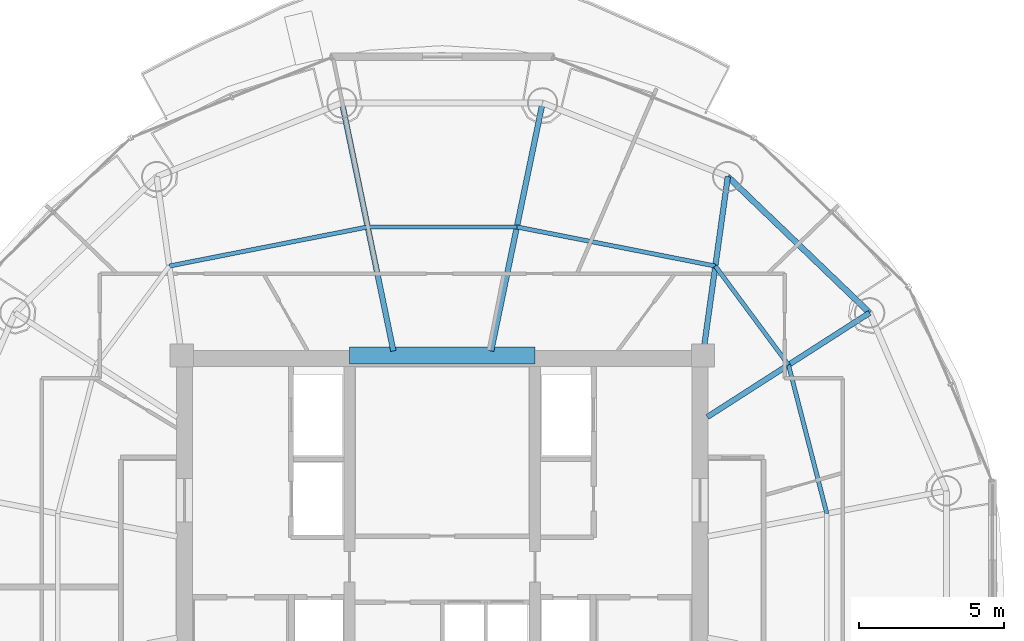
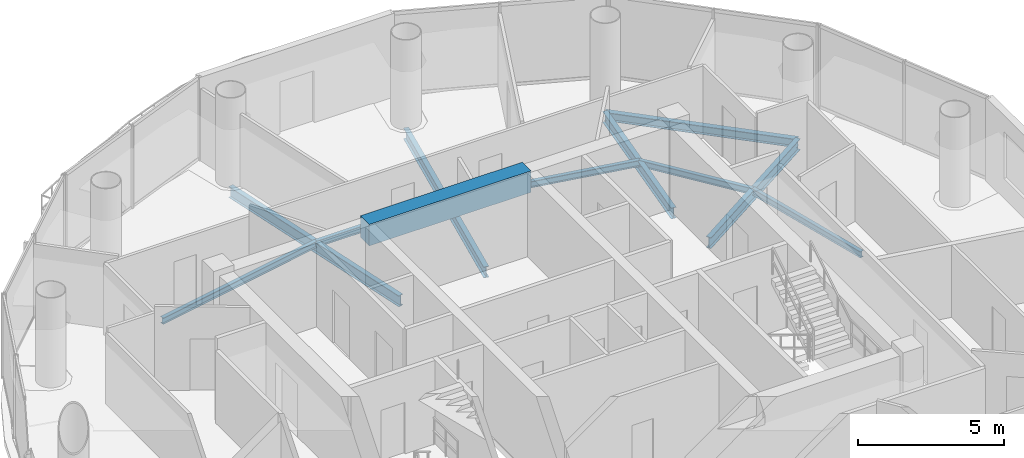
# One storey, part 9 of 23: 11 beams.
"""IFC4 building model written with IfcOpenShell, lengths in metres."""

from ifc_helpers import new_model, si_unit, direction, frame, origin, origin_2d, place, context, subcontext, project, spatial, rectangle, i_section, extrude, material, material_profile, profile_set, type_object, element, save


model = new_model("IFC4")

# Units and contexts
model_context = context("Model", 3, precision=1e-05, world=origin(), true_north=direction((-0.2419218956, 0.970295726276)))
body_context = subcontext(model_context, "Body", "Model", "MODEL_VIEW")
ifc_project = project(units=[si_unit("LENGTHUNIT", "METRE"), si_unit("AREAUNIT", "SQUARE_METRE"), si_unit("VOLUMEUNIT", "CUBIC_METRE"), si_unit("PLANEANGLEUNIT", "RADIAN"), si_unit("MASSUNIT", "GRAM", prefix="KILO")], contexts=[model_context])

# Site, building, storey
site_placement = place(None, origin())
site = spatial("IfcSite", under=ifc_project, at=site_placement, CompositionType="ELEMENT")
building_placement = place(site_placement, origin())
building = spatial("IfcBuilding", under=site, at=building_placement, Name="Cobrevalo Terracotta Tower", CompositionType="ELEMENT")
storey_placement = place(building_placement, frame((0.0, 0.0, 263.199951171875)))
storey = spatial("IfcBuildingStorey", under=building, at=storey_placement, Name="L69", CompositionType="ELEMENT", Elevation=263.199951171875)

# Beams
ifc_material_1 = material(Name="Concrete C60", Category="concrete")
ifc_material_profile_1 = material_profile(ifc_material_1, rectangle(XDim=0.60009765625, YDim=0.89990234375, at=origin_2d()), Name="RC CB 600x900")
ifc_profile_set_1 = profile_set([ifc_material_profile_1], Name="Concrete C60")
beam_type_1 = type_object("IfcBeamType", Name="Structural Beam RC CB 600x900 (Concrete C60)", PredefinedType="BEAM", material=ifc_profile_set_1)
beam_1_placement = place(storey_placement, frame((34.800048828125, 34.800048828125, 3.0400390625), z_axis=(1.0, 0.0, 0.0), x_axis=(0.0, 1.0, 0.0)))
element("IfcBeam", 1, at=beam_1_placement, inside=storey, type_object=beam_type_1, Name="L69 core coupling beam 2", PredefinedType="BEAM", context=body_context, shape_type="SweptSolid", body=[
    extrude(rectangle(XDim=0.60009765625, YDim=0.89990234375, at=origin_2d()), origin(), (0.0, 0.0, 1.0), 6.39990234375),
])
ifc_material_2 = material(Name="Steel S355", Category="steel")
ifc_material_profile_2 = material_profile(ifc_material_2, i_section(OverallWidth=0.19091796875, OverallDepth=0.4599609375, WebThickness=0.010009765625, FlangeThickness=0.01611328125, at=origin_2d()), Name="W 460x82")
ifc_profile_set_2 = profile_set([ifc_material_profile_2], Name="Steel S355")
beam_type_2 = type_object("IfcBeamType", Name="Structural Beam W 460x82 (Steel S355)", PredefinedType="BEAM", material=ifc_profile_set_2)
beam_2_placement = place(storey_placement, frame((52.758544921875, 36.2724609375, -0.489990234375), z_axis=(-0.84157615512, -0.540138477739, 0.0), x_axis=(0.540138477739, -0.84157615512, 0.0)))
element("IfcBeam", 2, at=beam_2_placement, inside=storey, type_object=beam_type_2, Name="L69 radial floor girder 02", PredefinedType="BEAM", context=body_context, shape_type="SweptSolid", body=[
    extrude(i_section(OverallWidth=0.19091796875, OverallDepth=0.4599609375, WebThickness=0.010009765625, FlangeThickness=0.01611328125, at=origin_2d()), origin(), (0.0, 0.0, 1.0), 6.658447265625),
])
beam_3_placement = place(storey_placement, frame((47.861328125, 40.9765625, -0.489990234375), z_axis=(-0.138115657759, -0.990416107039, 0.0), x_axis=(0.990416107039, -0.138115657759, 0.0)))
element("IfcBeam", 3, at=beam_3_placement, inside=storey, type_object=beam_type_2, Name="L69 radial floor girder 03", PredefinedType="BEAM", context=body_context, shape_type="SweptSolid", body=[
    extrude(i_section(OverallWidth=0.19091796875, OverallDepth=0.4599609375, WebThickness=0.010009765625, FlangeThickness=0.01611328125, at=origin_2d()), origin(), (0.0, 0.0, 1.0), 6.236328125),
])
for number, where, z_axis, x_axis, name in (
    (4, (41.462890625, 43.5224609375, -0.489990234375), (-0.202781841237, -0.9792239401, 0.0), (0.9792239401, -0.202781841237, 0.0), "L69 radial floor girder 04"),
    (5, (34.537109375, 43.5224609375, -0.489990234375), (0.202781841237, -0.9792239401, 0.0), (0.9792239401, 0.202781841237, 0.0), "L69 radial floor girder 05"),
):
    element("IfcBeam", number, at=place(storey_placement, frame(where, z_axis=z_axis, x_axis=x_axis)), inside=storey, type_object=beam_type_2, Name=name, PredefinedType="BEAM", context=body_context, shape_type="SweptSolid", body=[
        extrude(i_section(OverallWidth=0.19091796875, OverallDepth=0.4599609375, WebThickness=0.010009765625, FlangeThickness=0.01611328125, at=origin_2d()), origin(), (0.0, 0.0, 1.0), 8.749267578125),
    ])
ifc_material_profile_3 = material_profile(ifc_material_2, i_section(OverallWidth=0.14794921875, OverallDepth=0.26611328125, WebThickness=0.007568359375, FlangeThickness=0.012939453125, at=origin_2d()), Name="W 250x44.8")
ifc_profile_set_3 = profile_set([ifc_material_profile_3], Name="Steel S355")
beam_type_3 = type_object("IfcBeamType", Name="Structural Joist W 250x44.8 (Steel S355)", PredefinedType="JOIST", material=ifc_profile_set_3)
beam_4_placement = place(storey_placement, frame((51.281982421875, 29.337646484375, -0.39306640625), z_axis=(-0.249816773293, 0.968293126993, 0.0), x_axis=(-0.968293126993, -0.249816773293, 0.0)))
element("IfcBeam", 6, at=beam_4_placement, inside=storey, type_object=beam_type_3, Name="L69 circumferential secondary floor joist 01", PredefinedType="JOIST", context=body_context, shape_type="SweptSolid", body=[
    extrude(i_section(OverallWidth=0.14794921875, OverallDepth=0.26611328125, WebThickness=0.007568359375, FlangeThickness=0.012939453125, at=origin_2d()), origin(), (0.0, 0.0, 1.0), 5.3046875),
])
beam_5_placement = place(storey_placement, frame((49.956787109375, 34.47412109375, -0.39306640625), z_axis=(-0.594799916617, 0.803873783123, 0.0), x_axis=(-0.803873783123, -0.594799916617, 0.0)))
element("IfcBeam", 7, at=beam_5_placement, inside=storey, type_object=beam_type_3, Name="L69 circumferential secondary floor joist 02", PredefinedType="JOIST", context=body_context, shape_type="SweptSolid", body=[
    extrude(i_section(OverallWidth=0.14794921875, OverallDepth=0.26611328125, WebThickness=0.007568359375, FlangeThickness=0.012939453125, at=origin_2d()), origin(), (0.0, 0.0, 1.0), 4.2470703125),
])
beam_6_placement = place(storey_placement, frame((47.4306640625, 37.88818359375, -0.39306640625), z_axis=(-0.98113843359, 0.19330642548, 0.0), x_axis=(-0.19330642548, -0.98113843359, 0.0)))
element("IfcBeam", 8, at=beam_6_placement, inside=storey, type_object=beam_type_3, Name="L69 circumferential secondary floor joist 03", PredefinedType="JOIST", context=body_context, shape_type="SweptSolid", body=[
    extrude(i_section(OverallWidth=0.14794921875, OverallDepth=0.26611328125, WebThickness=0.007568359375, FlangeThickness=0.012939453125, at=origin_2d()), origin(), (0.0, 0.0, 1.0), 6.98681640625),
])
beam_7_placement = place(storey_placement, frame((40.57568359375, 39.23876953125, -0.39306640625), z_axis=(-1.0, 0.0, 0.0), x_axis=(0.0, -1.0, 0.0)))
element("IfcBeam", 9, at=beam_7_placement, inside=storey, type_object=beam_type_3, Name="L69 circumferential secondary floor joist 04", PredefinedType="JOIST", context=body_context, shape_type="SweptSolid", body=[
    extrude(i_section(OverallWidth=0.14794921875, OverallDepth=0.26611328125, WebThickness=0.007568359375, FlangeThickness=0.012939453125, at=origin_2d()), origin(), (0.0, 0.0, 1.0), 5.1513671875),
])
beam_8_placement = place(storey_placement, frame((35.42431640625, 39.23876953125, -0.39306640625), z_axis=(-0.98113843359, -0.19330642548, 0.0), x_axis=(0.19330642548, -0.98113843359, 0.0)))
element("IfcBeam", 10, at=beam_8_placement, inside=storey, type_object=beam_type_3, Name="L69 circumferential secondary floor joist 05", PredefinedType="JOIST", context=body_context, shape_type="SweptSolid", body=[
    extrude(i_section(OverallWidth=0.14794921875, OverallDepth=0.26611328125, WebThickness=0.007568359375, FlangeThickness=0.012939453125, at=origin_2d()), origin(), (0.0, 0.0, 1.0), 6.98681640625),
])
ifc_material_profile_4 = material_profile(ifc_material_2, i_section(OverallWidth=0.205078125, OverallDepth=0.35400390625, WebThickness=0.009521484375, FlangeThickness=0.016845703125, at=origin_2d()), Name="W 360x79")
ifc_profile_set_4 = profile_set([ifc_material_profile_4], Name="Steel S355")
beam_type_4 = type_object("IfcBeamType", Name="Structural Spandrel W 360x79 (Steel S355)", PredefinedType="SPANDREL", material=ifc_profile_set_4)
beam_9_placement = place(storey_placement, frame((52.758544921875, 36.2724609375, -0.43701171875), z_axis=(-0.721183246144, 0.692744343522, 0.0), x_axis=(-0.692744343522, -0.721183246144, 0.0)))
element("IfcBeam", 11, at=beam_9_placement, inside=storey, type_object=beam_type_4, Name="L69 perimeter ring spandrel 02", PredefinedType="SPANDREL", context=body_context, shape_type="SweptSolid", body=[
    extrude(i_section(OverallWidth=0.205078125, OverallDepth=0.35400390625, WebThickness=0.009521484375, FlangeThickness=0.016845703125, at=origin_2d()), origin(), (0.0, 0.0, 1.0), 6.79052734375),
])

save(model, "model.ifc")
